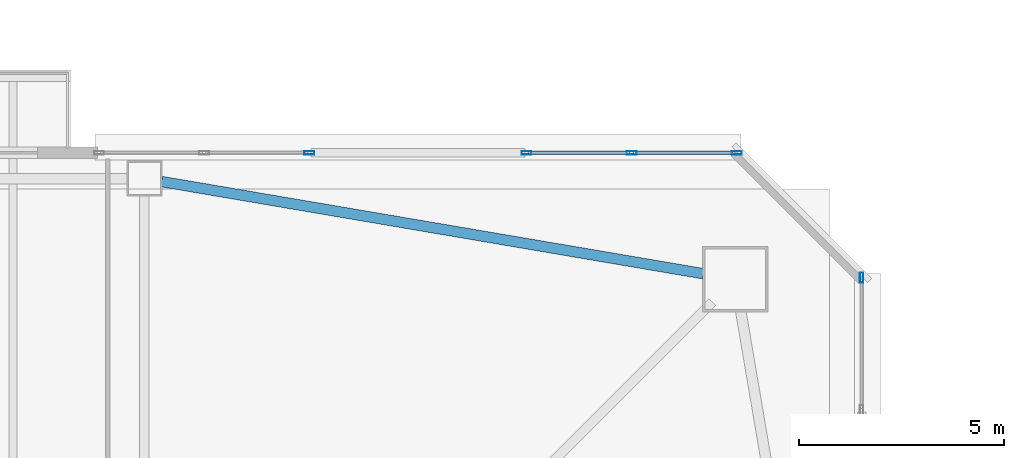
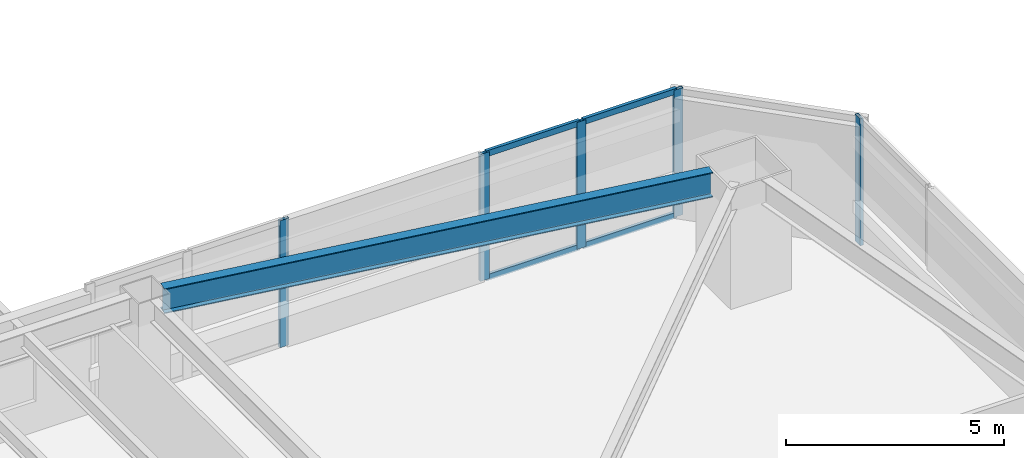
# One storey, part 19 of 51: 9 members, 1 beam, 3 elements without a shape of their own.
"""IFC4 building model written with IfcOpenShell, lengths in metres."""

from ifc_helpers import new_model, si_unit, direction, frame, origin, origin_2d, place, context, subcontext, project, spatial, hollow_rectangle, i_section, extrude, material, material_profile, profile_set, type_object, element, aggregate, save


model = new_model("IFC4")

# Units and contexts
model_context = context("Model", 3, precision=1e-05, world=origin(), true_north=direction((0.0, 1.0)))
body_context = subcontext(model_context, "Body", "Model", "MODEL_VIEW")
ifc_project = project(units=[si_unit("LENGTHUNIT", "METRE"), si_unit("AREAUNIT", "SQUARE_METRE"), si_unit("VOLUMEUNIT", "CUBIC_METRE"), si_unit("PLANEANGLEUNIT", "RADIAN"), si_unit("MASSUNIT", "GRAM", prefix="KILO")], contexts=[model_context])

# Site, building, storey
site_placement = place(None, origin())
site = spatial("IfcSite", under=ifc_project, at=site_placement, CompositionType="ELEMENT")
building_placement = place(site_placement, origin())
building = spatial("IfcBuilding", under=site, at=building_placement, Name="Tashvorn Skyway Center", CompositionType="ELEMENT")
storey_placement = place(building_placement, frame((0.0, 0.0, 49.449951171875)))
storey = spatial("IfcBuildingStorey", under=building, at=storey_placement, Name="L12", CompositionType="ELEMENT", Elevation=49.449951171875)

# Beam
ifc_material_1 = material(Name="Steel ASTM A992 Grade 50", Category="steel")
ifc_material_profile_1 = material_profile(ifc_material_1, i_section(OverallWidth=0.256103515625, OverallDepth=0.693115234375, WebThickness=0.014404296875, FlangeThickness=0.023681640625, at=origin_2d()), Name="W27X114")
ifc_profile_set_1 = profile_set([ifc_material_profile_1], Name="Steel ASTM A992 Grade 50")
beam_type = type_object("IfcBeamType", Name="BM-SPANDREL-W27X114", PredefinedType="SPANDREL", material=ifc_profile_set_1)
beam_placement = place(storey_placement, frame((61.016357421875, 51.933349609375, 3.003662109375), z_axis=(-0.985835025551, 0.16771792509, 0.0), x_axis=(-0.16771792509, -0.985835025551, 0.0)))
element("IfcBeam", 1, at=beam_placement, inside=storey, type_object=beam_type, Name="Tower 1 L12 Spandrel Beam 07", PredefinedType="SPANDREL", context=body_context, shape_type="SweptSolid", body=[
    extrude(i_section(OverallWidth=0.256103515625, OverallDepth=0.693115234375, WebThickness=0.014404296875, FlangeThickness=0.023681640625, at=origin_2d()), origin(), (0.0, 0.0, 1.0), 13.39208984375),
])

# Curtain wall, member
ifc_material_2 = material(Name="Thermally broken bronze-anodized aluminium 6063-T6", Category="aluminium")
curtain_wall_type = type_object("IfcCurtainWallType", Name="CW-CW-Z1", PredefinedType="NOTDEFINED", material=ifc_material_2)
curtain_wall_1_placement = place(storey_placement, origin())
curtain_wall_1 = element("IfcCurtainWall", 2, at=curtain_wall_1_placement, inside=storey, type_object=curtain_wall_type, Name="Tower 1 L12 North Curtain Wall R Glazing Group 1", PredefinedType="NOTDEFINED")
ifc_material_profile_2 = material_profile(ifc_material_2, hollow_rectangle(XDim=0.0849609375, YDim=0.239990234375, WallThickness=0.0048828125, at=origin_2d()), Name="ALU-MULL-85x240")
ifc_profile_set_2 = profile_set([ifc_material_profile_2], Name="Thermally broken bronze-anodized aluminium 6063-T6")
member_type_1 = type_object("IfcMemberType", Name="CWM-CW-Z1", PredefinedType="MULLION", material=ifc_profile_set_2)
member_1_placement = place(storey_placement, frame((51.41748046875, 54.8798828125, 0.0), z_axis=(0.0, 0.0, 1.0), x_axis=(0.0, 1.0, 0.0)))
member_1 = element("IfcMember", 3, at=member_1_placement, type_object=member_type_1, Name="CW-Z1 mullion 3", PredefinedType="MULLION", context=body_context, shape_type="SweptSolid", body=[
    extrude(hollow_rectangle(XDim=0.0849609375, YDim=0.239990234375, WallThickness=0.0048828125, at=origin_2d()), origin(), (0.0, 0.0, 1.0), 3.550048828125),
])
aggregate(curtain_wall_1, [member_1])

# Curtain wall, members
curtain_wall_2_placement = place(storey_placement, origin())
curtain_wall_2 = element("IfcCurtainWall", 4, at=curtain_wall_2_placement, inside=storey, type_object=curtain_wall_type, Name="Tower 1 L12 North Curtain Wall R Glazing Group 2", PredefinedType="NOTDEFINED")
member_2_placement = place(storey_placement, frame((56.71240234375, 54.8798828125, 0.0), z_axis=(0.0, 0.0, 1.0), x_axis=(0.0, 1.0, 0.0)))
member_2 = element("IfcMember", 5, at=member_2_placement, type_object=member_type_1, Name="CW-Z1 mullion 1", PredefinedType="MULLION", context=body_context, shape_type="SweptSolid", body=[
    extrude(hollow_rectangle(XDim=0.0849609375, YDim=0.239990234375, WallThickness=0.0048828125, at=origin_2d()), origin(), (0.0, 0.0, 1.0), 3.550048828125),
])
member_3_placement = place(storey_placement, frame((59.27490234375, 54.8798828125, 0.0), z_axis=(0.0, 0.0, 1.0), x_axis=(0.0, 1.0, 0.0)))
member_3 = element("IfcMember", 6, at=member_3_placement, type_object=member_type_1, Name="CW-Z1 mullion 2", PredefinedType="MULLION", context=body_context, shape_type="SweptSolid", body=[
    extrude(hollow_rectangle(XDim=0.0849609375, YDim=0.239990234375, WallThickness=0.0048828125, at=origin_2d()), origin(), (0.0, 0.0, 1.0), 3.550048828125),
])
member_4_placement = place(storey_placement, frame((61.83740234375, 54.8798828125, 0.0), z_axis=(0.0, 0.0, 1.0), x_axis=(0.0, 1.0, 0.0)))
member_4 = element("IfcMember", 7, at=member_4_placement, type_object=member_type_1, Name="CW-Z1 mullion 3", PredefinedType="MULLION", context=body_context, shape_type="SweptSolid", body=[
    extrude(hollow_rectangle(XDim=0.0849609375, YDim=0.239990234375, WallThickness=0.0048828125, at=origin_2d()), origin(), (0.0, 0.0, 1.0), 3.550048828125),
])

# Curtain wall, member
curtain_wall_3_placement = place(storey_placement, origin())
curtain_wall_3 = element("IfcCurtainWall", 8, at=curtain_wall_3_placement, inside=storey, type_object=curtain_wall_type, Name="Tower 1 L12 East Unitised Curtain Wall Glazing Group 1", PredefinedType="NOTDEFINED")
member_5_placement = place(storey_placement, frame((64.8798828125, 51.83740234375, 0.0), z_axis=(0.0, 0.0, 1.0), x_axis=(1.0, 0.0, 0.0)))
member_5 = element("IfcMember", 9, at=member_5_placement, type_object=member_type_1, Name="CW-Z1 mullion 1", PredefinedType="MULLION", context=body_context, shape_type="SweptSolid", body=[
    extrude(hollow_rectangle(XDim=0.0849609375, YDim=0.239990234375, WallThickness=0.0048828125, at=origin_2d()), origin(), (0.0, 0.0, 1.0), 3.550048828125),
])
aggregate(curtain_wall_3, [member_5])

# Member
ifc_material_profile_3 = material_profile(ifc_material_2, hollow_rectangle(XDim=0.0849609375, YDim=0.1650390625, WallThickness=0.0048828125, at=origin_2d()), Name="ALU-TRAN-85x165")
ifc_profile_set_3 = profile_set([ifc_material_profile_3], Name="Thermally broken bronze-anodized aluminium 6063-T6")
member_type_2 = type_object("IfcMemberType", Name="CWT-CW-Z1", PredefinedType="USERDEFINED", material=ifc_profile_set_3)
member_6_placement = place(storey_placement, frame((56.7548828125, 54.8798828125, 0.04248046875), z_axis=(1.0, 0.0, 0.0), x_axis=(0.0, 1.0, 0.0)))
member_6 = element("IfcMember", 10, at=member_6_placement, type_object=member_type_2, Name="CW-Z1 transom 1.1", ObjectType="TRANSOM", PredefinedType="USERDEFINED", context=body_context, shape_type="SweptSolid", body=[
    extrude(hollow_rectangle(XDim=0.0849609375, YDim=0.1650390625, WallThickness=0.0048828125, at=origin_2d()), origin(), (0.0, 0.0, 1.0), 2.4775390625),
])

member_7_placement = place(storey_placement, frame((56.7548828125, 54.8798828125, 3.507568359375), z_axis=(1.0, 0.0, 0.0), x_axis=(0.0, 1.0, 0.0)))
member_7 = element("IfcMember", 11, at=member_7_placement, type_object=member_type_2, Name="CW-Z1 transom 1.2", ObjectType="TRANSOM", PredefinedType="USERDEFINED", context=body_context, shape_type="SweptSolid", body=[
    extrude(hollow_rectangle(XDim=0.0849609375, YDim=0.1650390625, WallThickness=0.0048828125, at=origin_2d()), origin(), (0.0, 0.0, 1.0), 2.4775390625),
])

member_8_placement = place(storey_placement, frame((59.3173828125, 54.8798828125, 0.04248046875), z_axis=(1.0, 0.0, 0.0), x_axis=(0.0, 1.0, 0.0)))
member_8 = element("IfcMember", 12, at=member_8_placement, type_object=member_type_2, Name="CW-Z1 transom 2.1", ObjectType="TRANSOM", PredefinedType="USERDEFINED", context=body_context, shape_type="SweptSolid", body=[
    extrude(hollow_rectangle(XDim=0.0849609375, YDim=0.1650390625, WallThickness=0.0048828125, at=origin_2d()), origin(), (0.0, 0.0, 1.0), 2.4775390625),
])

member_9_placement = place(storey_placement, frame((59.3173828125, 54.8798828125, 3.507568359375), z_axis=(1.0, 0.0, 0.0), x_axis=(0.0, 1.0, 0.0)))
member_9 = element("IfcMember", 13, at=member_9_placement, type_object=member_type_2, Name="CW-Z1 transom 2.2", ObjectType="TRANSOM", PredefinedType="USERDEFINED", context=body_context, shape_type="SweptSolid", body=[
    extrude(hollow_rectangle(XDim=0.0849609375, YDim=0.1650390625, WallThickness=0.0048828125, at=origin_2d()), origin(), (0.0, 0.0, 1.0), 2.4775390625),
])

aggregate(curtain_wall_2, [member_2, member_3, member_4, member_6, member_7, member_8, member_9])

save(model, "model.ifc")
